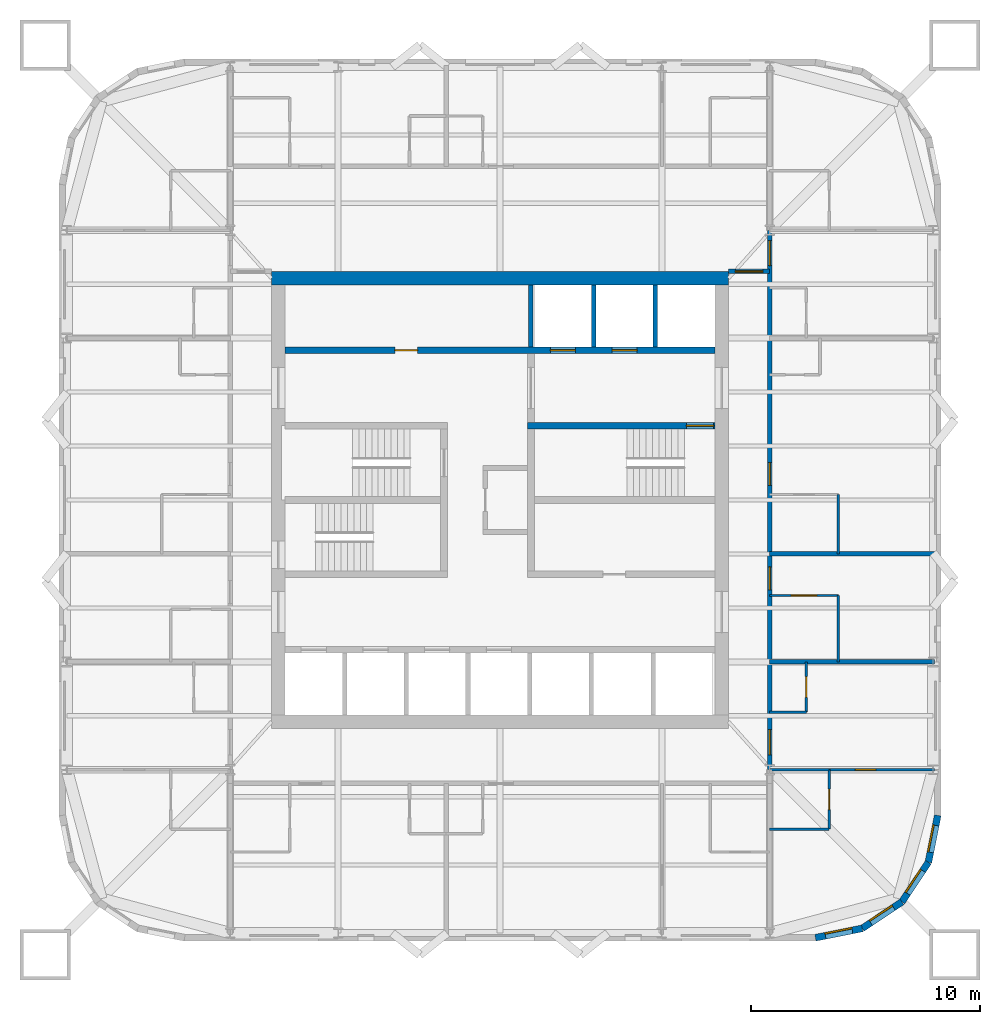
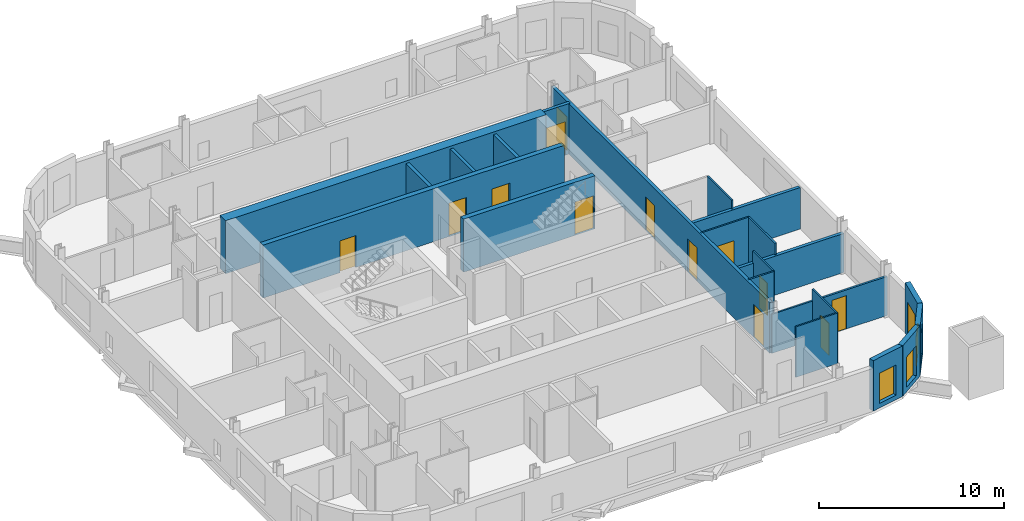
# One storey, part 5 of 8: 23 walls, 13 doors, 4 windows, 17 openings.
"""IFC4 building model written with IfcOpenShell, lengths in metres."""

from ifc_helpers import new_model, si_unit, direction, frame, frame_2d, origin, place, context, subcontext, project, spatial, rectangle, extrude, material, layer, layer_set, type_object, element, fill, save


model = new_model("IFC4")

# Units and contexts
model_context = context("Model", 3, precision=1e-05, world=origin(), true_north=direction((0.0, 1.0)))
body_context = subcontext(model_context, "Body", "Model", "MODEL_VIEW")
ifc_project = project(units=[si_unit("LENGTHUNIT", "METRE"), si_unit("AREAUNIT", "SQUARE_METRE"), si_unit("VOLUMEUNIT", "CUBIC_METRE"), si_unit("PLANEANGLEUNIT", "RADIAN"), si_unit("MASSUNIT", "GRAM", prefix="KILO")], contexts=[model_context])

# Site, building, storey
site_placement = place(None, origin())
site = spatial("IfcSite", under=ifc_project, at=site_placement, CompositionType="ELEMENT")
building_placement = place(site_placement, origin())
building = spatial("IfcBuilding", under=site, at=building_placement, Name="Turquesa Mirador Hotel Tower", CompositionType="ELEMENT")
storey_placement = place(building_placement, frame((0.0, 0.0, 196.800048828125)))
storey = spatial("IfcBuildingStorey", under=building, at=storey_placement, Name="L53", CompositionType="ELEMENT", Elevation=196.800048828125)

# Walls
ifc_material_1 = material(Name="Gypsum board on steel studs", Category="steel")
ifc_layer_1 = layer(ifc_material_1, 0.10009765625)
ifc_layer_set_1 = layer_set([ifc_layer_1], Name="BATHROOM WALL 100")
wall_type_1 = type_object("IfcWallType", Name="BATHROOM WALL 100", PredefinedType="PARTITIONING", material=ifc_layer_set_1)
wall_1_placement = place(storey_placement, frame((66.800048828125, 33.199951171875, 0.0), z_axis=(0.0, 0.0, 1.0), x_axis=(1.0, 0.0, 0.0)))
element("IfcWall", 1, at=wall_1_placement, inside=storey, type_object=wall_type_1, Name="Partition L53 002", PredefinedType="PARTITIONING", context=body_context, shape_type="SweptSolid", body=[
    extrude(rectangle(XDim=2.599853515625, YDim=0.10009765625, at=frame_2d((1.2998046875, 0.0))), origin(), (0.0, 0.0, 1.0), 2.572998046875),
])
wall_2_placement = place(storey_placement, frame((66.800048828125, 30.60009765625, 0.0), z_axis=(0.0, 0.0, 1.0), x_axis=(1.0, 0.0, 0.0)))
element("IfcWall", 2, at=wall_2_placement, inside=storey, type_object=wall_type_1, Name="Partition L53 007", PredefinedType="PARTITIONING", context=body_context, shape_type="SweptSolid", body=[
    extrude(rectangle(XDim=2.599853515625, YDim=0.10009765625, at=frame_2d((1.2998046875, 0.0))), origin(), (0.0, 0.0, 1.0), 3.329833984375),
])

# Wall, opening, door
wall_3_placement = place(storey_placement, frame((66.800048828125, 40.820068359375, 0.0), z_axis=(0.0, 0.0, 1.0), x_axis=(1.0, 0.0, 0.0)))
wall_3 = element("IfcWall", 3, at=wall_3_placement, inside=storey, type_object=wall_type_1, Name="Partition L53 014", PredefinedType="PARTITIONING", context=body_context, shape_type="SweptSolid", body=[
    extrude(rectangle(XDim=3.0, YDim=0.10009765625, at=frame_2d((1.5, 0.0))), origin(), (0.0, 0.0, 1.0), 3.329833984375),
])
opening_1_placement = place(wall_3_placement, frame((0.949951171875, 0.0, 0.0)))
opening_1 = element("IfcOpeningElement", 4, at=opening_1_placement, cuts=wall_3, Name="Opening D16", PredefinedType="OPENING", context=body_context, shape_type="SweptSolid", body=[
    extrude(rectangle(XDim=1.10009765625, YDim=2.10009765625, at=frame_2d((0.550048828125, 1.050048828125))), frame((0.0, 0.06005859375, 0.0), z_axis=(0.0, -1.0, 0.0), x_axis=(1.0, 0.0, 0.0)), (0.0, 0.0, 1.0), 0.1201171875),
])
ifc_material_2 = material(Name="Timber veneered sliding door", Category="wood")
door_type_1 = type_object("IfcDoorType", Name="DOOR 1100X2100 ACCESSIBLE EN-SUITE", OperationType="SLIDING_TO_LEFT", PredefinedType="DOOR", material=ifc_material_2)
door_1_placement = place(opening_1_placement, origin())
door_1 = element("IfcDoor", 5, at=door_1_placement, inside=storey, type_object=door_type_1, Name="Door 5305B", OperationType="SLIDING_TO_LEFT", OverallHeight=2.10009765625, OverallWidth=1.10009765625, PredefinedType="DOOR", context=body_context, shape_type="SweptSolid", body=[
    extrude(rectangle(XDim=1.10009765625, YDim=2.10009765625, at=frame_2d((0.550048828125, 1.050048828125))), frame((0.0, 0.02490234375, 0.0), z_axis=(0.0, -1.0, 0.0), x_axis=(1.0, 0.0, 0.0)), (0.0, 0.0, 1.0), 0.050048828125),
])
fill(opening_1, door_1)

# Wall
wall_4_placement = place(storey_placement, frame((66.800048828125, 35.719970703125, 0.0), z_axis=(0.0, 0.0, 1.0), x_axis=(1.0, 0.0, 0.0)))
element("IfcWall", 6, at=wall_4_placement, inside=storey, type_object=wall_type_1, Name="Partition L53 019", PredefinedType="PARTITIONING", context=body_context, shape_type="SweptSolid", body=[
    extrude(rectangle(XDim=1.599853515625, YDim=0.10009765625, at=frame_2d((0.7998046875, 0.0))), origin(), (0.0, 0.0, 1.0), 3.329833984375),
])

# Wall, opening, door
wall_5_placement = place(storey_placement, frame((68.39990234375, 35.719970703125, 0.0), z_axis=(0.0, 0.0, 1.0), x_axis=(0.0, 1.0, 0.0)))
wall_5 = element("IfcWall", 7, at=wall_5_placement, inside=storey, type_object=wall_type_1, Name="Partition L53 062", PredefinedType="PARTITIONING", context=body_context, shape_type="SweptSolid", body=[
    extrude(rectangle(XDim=2.199951171875, YDim=0.10009765625, at=frame_2d((1.10009765625, 0.0))), origin(), (0.0, 0.0, 1.0), 3.329833984375),
])
opening_2_placement = place(wall_5_placement, frame((0.64990234375, 0.0, 0.0)))
opening_2 = element("IfcOpeningElement", 8, at=opening_2_placement, cuts=wall_5, Name="Opening D06", PredefinedType="OPENING", context=body_context, shape_type="SweptSolid", body=[
    extrude(rectangle(XDim=0.89990234375, YDim=2.10009765625, at=frame_2d((0.449951171875, 1.050048828125))), frame((0.0, 0.06005859375, 0.0), z_axis=(0.0, -1.0, 0.0), x_axis=(1.0, 0.0, 0.0)), (0.0, 0.0, 1.0), 0.1201171875),
])
ifc_material_3 = material(Name="Laminate door", Category="wood")
door_type_2 = type_object("IfcDoorType", Name="DOOR 900X2100 WC", OperationType="SINGLE_SWING_LEFT", PredefinedType="DOOR", material=ifc_material_3)
door_2_placement = place(opening_2_placement, origin())
door_2 = element("IfcDoor", 9, at=door_2_placement, inside=storey, type_object=door_type_2, Name="Door 5312W", OperationType="SINGLE_SWING_LEFT", OverallHeight=2.10009765625, OverallWidth=0.89990234375, PredefinedType="DOOR", context=body_context, shape_type="SweptSolid", body=[
    extrude(rectangle(XDim=0.89990234375, YDim=2.10009765625, at=frame_2d((0.449951171875, 1.050048828125))), frame((0.0, 0.02490234375, 0.0), z_axis=(0.0, -1.0, 0.0), x_axis=(1.0, 0.0, 0.0)), (0.0, 0.0, 1.0), 0.050048828125),
])
fill(opening_2, door_2)

wall_6_placement = place(storey_placement, frame((69.39990234375, 30.60009765625, 0.0), z_axis=(0.0, 0.0, 1.0), x_axis=(0.0, 1.0, 0.0)))
wall_6 = element("IfcWall", 10, at=wall_6_placement, inside=storey, type_object=wall_type_1, Name="Partition L53 065", PredefinedType="PARTITIONING", context=body_context, shape_type="SweptSolid", body=[
    extrude(rectangle(XDim=2.599853515625, YDim=0.10009765625, at=frame_2d((1.2998046875, 0.0))), origin(), (0.0, 0.0, 1.0), 3.329833984375),
])
opening_3_placement = place(wall_6_placement, frame((0.85009765625, 0.0, 0.0)))
opening_3 = element("IfcOpeningElement", 11, at=opening_3_placement, cuts=wall_6, Name="Opening D02", PredefinedType="OPENING", context=body_context, shape_type="SweptSolid", body=[
    extrude(rectangle(XDim=0.89990234375, YDim=2.10009765625, at=frame_2d((0.449951171875, 1.050048828125))), frame((0.0, 0.06005859375, 0.0), z_axis=(0.0, -1.0, 0.0), x_axis=(1.0, 0.0, 0.0)), (0.0, 0.0, 1.0), 0.1201171875),
])
ifc_material_4 = material(Name="Timber veneered door", Category="wood")
door_type_3 = type_object("IfcDoorType", Name="DOOR 900X2100 EN-SUITE", OperationType="SINGLE_SWING_RIGHT", PredefinedType="DOOR", material=ifc_material_4)
door_3_placement = place(opening_3_placement, origin())
door_3 = element("IfcDoor", 12, at=door_3_placement, inside=storey, type_object=door_type_3, Name="Door 5312B", OperationType="SINGLE_SWING_RIGHT", OverallHeight=2.10009765625, OverallWidth=0.89990234375, PredefinedType="DOOR", context=body_context, shape_type="SweptSolid", body=[
    extrude(rectangle(XDim=0.89990234375, YDim=2.10009765625, at=frame_2d((0.449951171875, 1.050048828125))), frame((0.0, 0.02490234375, 0.0), z_axis=(0.0, -1.0, 0.0), x_axis=(1.0, 0.0, 0.0)), (0.0, 0.0, 1.0), 0.050048828125),
])
fill(opening_3, door_3)

# Walls
wall_7_placement = place(storey_placement, frame((69.800048828125, 37.919921875, 0.0), z_axis=(0.0, 0.0, 1.0), x_axis=(0.0, 1.0, 0.0)))
element("IfcWall", 13, at=wall_7_placement, inside=storey, type_object=wall_type_1, Name="Partition L53 067", PredefinedType="PARTITIONING", context=body_context, shape_type="SweptSolid", body=[
    extrude(rectangle(XDim=2.900146484375, YDim=0.10009765625, at=frame_2d((1.4501953125, 0.0))), origin(), (0.0, 0.0, 1.0), 3.329833984375),
])
wall_8_placement = place(storey_placement, frame((69.800048828125, 42.639892578125, 0.0), z_axis=(0.0, 0.0, 1.0), x_axis=(0.0, 1.0, 0.0)))
element("IfcWall", 14, at=wall_8_placement, inside=storey, type_object=wall_type_1, Name="Partition L53 068", PredefinedType="PARTITIONING", context=body_context, shape_type="SweptSolid", body=[
    extrude(rectangle(XDim=2.60009765625, YDim=0.10009765625, at=frame_2d((1.300048828125, 0.0))), origin(), (0.0, 0.0, 1.0), 3.329833984375),
])

# Wall, openings, doors
ifc_material_5 = material(Name="Concrete C50/60", Category="concrete")
ifc_layer_2 = layer(ifc_material_5, 0.300048828125)
ifc_layer_set_2 = layer_set([ifc_layer_2], Name="CORE INNER WALL 300")
wall_type_2 = type_object("IfcWallType", Name="CORE INNER WALL 300", PredefinedType="SHEAR", material=ifc_layer_set_2)
wall_9_placement = place(storey_placement, frame((45.60009765625, 51.550048828125, 0.0), z_axis=(0.0, 0.0, 1.0), x_axis=(1.0, 0.0, 0.0)))
wall_9 = element("IfcWall", 15, at=wall_9_placement, inside=storey, type_object=wall_type_2, Name="Core wall NL", PredefinedType="SHEAR", context=body_context, shape_type="SweptSolid", body=[
    extrude(rectangle(XDim=18.7998046875, YDim=0.300048828125, at=frame_2d((9.39990234375, 0.0))), origin(), (0.0, 0.0, 1.0), 3.5),
])
opening_4_placement = place(wall_9_placement, frame((4.800048828125, 0.0, 0.0)))
opening_4 = element("IfcOpeningElement", 16, at=opening_4_placement, cuts=wall_9, Name="Opening D05", PredefinedType="OPENING", context=body_context, shape_type="SweptSolid", body=[
    extrude(rectangle(XDim=1.0, YDim=2.10009765625, at=frame_2d((0.5, 1.050048828125))), frame((0.0, 0.159912109375, 0.0), z_axis=(0.0, -1.0, 0.0), x_axis=(1.0, 0.0, 0.0)), (0.0, 0.0, 1.0), 0.320068359375),
])
opening_5_placement = place(wall_9_placement, frame((11.60009765625, 0.0, 0.0)))
opening_5 = element("IfcOpeningElement", 17, at=opening_5_placement, cuts=wall_9, Name="Opening LD", PredefinedType="OPENING", context=body_context, shape_type="SweptSolid", body=[
    extrude(rectangle(XDim=1.10009765625, YDim=2.199951171875, at=frame_2d((0.550048828125, 1.10009765625))), frame((0.0, 0.159912109375, 0.0), z_axis=(0.0, -1.0, 0.0), x_axis=(1.0, 0.0, 0.0)), (0.0, 0.0, 1.0), 0.320068359375),
])
opening_6_placement = place(wall_9_placement, frame((14.300048828125, 0.0, 0.0)))
opening_6 = element("IfcOpeningElement", 18, at=opening_6_placement, cuts=wall_9, Name="Opening LD", PredefinedType="OPENING", context=body_context, shape_type="SweptSolid", body=[
    extrude(rectangle(XDim=1.10009765625, YDim=2.199951171875, at=frame_2d((0.550048828125, 1.10009765625))), frame((0.0, 0.159912109375, 0.0), z_axis=(0.0, -1.0, 0.0), x_axis=(1.0, 0.0, 0.0)), (0.0, 0.0, 1.0), 0.320068359375),
])
ifc_material_6 = material(Name="Steel fire door", Category="steel")
door_type_4 = type_object("IfcDoorType", Name="DOOR 1000X2100 SERVICE", OperationType="SINGLE_SWING_LEFT", PredefinedType="DOOR", material=ifc_material_6)
door_4_placement = place(opening_4_placement, origin())
door_4 = element("IfcDoor", 19, at=door_4_placement, inside=storey, type_object=door_type_4, Name="Linen store door", OperationType="SINGLE_SWING_LEFT", OverallHeight=2.10009765625, OverallWidth=1.0, PredefinedType="DOOR", context=body_context, shape_type="SweptSolid", body=[
    extrude(rectangle(XDim=1.0, YDim=2.10009765625, at=frame_2d((0.5, 1.050048828125))), frame((0.0, 0.02490234375, 0.0), z_axis=(0.0, -1.0, 0.0), x_axis=(1.0, 0.0, 0.0)), (0.0, 0.0, 1.0), 0.050048828125),
])
fill(opening_4, door_4)
ifc_material_7 = material(Name="Stainless steel lift landing door", Category="steel")
door_type_5 = type_object("IfcDoorType", Name="LIFT LANDING DOOR 1100X2200", OperationType="SLIDING_TO_LEFT", PredefinedType="DOOR", material=ifc_material_7)
door_5_placement = place(opening_5_placement, origin())
door_5 = element("IfcDoor", 20, at=door_5_placement, inside=storey, type_object=door_type_5, Name="Lift S1 landing door", OperationType="SLIDING_TO_LEFT", OverallHeight=2.199951171875, OverallWidth=1.10009765625, PredefinedType="DOOR", context=body_context, shape_type="SweptSolid", body=[
    extrude(rectangle(XDim=1.10009765625, YDim=2.199951171875, at=frame_2d((0.550048828125, 1.10009765625))), frame((0.0, 0.02490234375, 0.0), z_axis=(0.0, -1.0, 0.0), x_axis=(1.0, 0.0, 0.0)), (0.0, 0.0, 1.0), 0.050048828125),
])
fill(opening_5, door_5)
door_6_placement = place(opening_6_placement, origin())
door_6 = element("IfcDoor", 21, at=door_6_placement, inside=storey, type_object=door_type_5, Name="Lift S2 landing door", OperationType="SLIDING_TO_LEFT", OverallHeight=2.199951171875, OverallWidth=1.10009765625, PredefinedType="DOOR", context=body_context, shape_type="SweptSolid", body=[
    extrude(rectangle(XDim=1.10009765625, YDim=2.199951171875, at=frame_2d((0.550048828125, 1.10009765625))), frame((0.0, 0.02490234375, 0.0), z_axis=(0.0, -1.0, 0.0), x_axis=(1.0, 0.0, 0.0)), (0.0, 0.0, 1.0), 0.050048828125),
])
fill(opening_6, door_6)

# Wall, opening, door
wall_10_placement = place(storey_placement, frame((56.199951171875, 48.25, 0.0), z_axis=(0.0, 0.0, 1.0), x_axis=(1.0, 0.0, 0.0)))
wall_10 = element("IfcWall", 22, at=wall_10_placement, inside=storey, type_object=wall_type_2, Name="Core wall MN-E", PredefinedType="SHEAR", context=body_context, shape_type="SweptSolid", body=[
    extrude(rectangle(XDim=8.199951171875, YDim=0.300048828125, at=frame_2d((4.10009765625, 0.0))), origin(), (0.0, 0.0, 1.0), 3.5),
])
opening_7_placement = place(wall_10_placement, frame((6.949951171875, 0.0, 0.0)))
opening_7 = element("IfcOpeningElement", 23, at=opening_7_placement, cuts=wall_10, Name="Opening D03", PredefinedType="OPENING", context=body_context, shape_type="SweptSolid", body=[
    extrude(rectangle(XDim=1.199951171875, YDim=2.199951171875, at=frame_2d((0.60009765625, 1.10009765625))), frame((0.0, 0.159912109375, 0.0), z_axis=(0.0, -1.0, 0.0), x_axis=(1.0, 0.0, 0.0)), (0.0, 0.0, 1.0), 0.320068359375),
])
ifc_material_8 = material(Name="Steel fire door", Category="steel")
door_type_6 = type_object("IfcDoorType", Name="DOOR 1200X2200 STAIR", OperationType="SINGLE_SWING_LEFT", PredefinedType="DOOR", material=ifc_material_8)
door_7_placement = place(opening_7_placement, origin())
door_7 = element("IfcDoor", 24, at=door_7_placement, inside=storey, type_object=door_type_6, Name="Stair ST3 door", OperationType="SINGLE_SWING_LEFT", OverallHeight=2.199951171875, OverallWidth=1.199951171875, PredefinedType="DOOR", context=body_context, shape_type="SweptSolid", body=[
    extrude(rectangle(XDim=1.199951171875, YDim=2.199951171875, at=frame_2d((0.60009765625, 1.10009765625))), frame((0.0, 0.02490234375, 0.0), z_axis=(0.0, -1.0, 0.0), x_axis=(1.0, 0.0, 0.0)), (0.0, 0.0, 1.0), 0.050048828125),
])
fill(opening_7, door_7)

# Wall
ifc_material_9 = material(Name="Concrete C50/60", Category="concrete")
ifc_layer_3 = layer(ifc_material_9, 0.60009765625)
ifc_layer_set_3 = layer_set([ifc_layer_3], Name="CORE WALL 600")
wall_type_3 = type_object("IfcWallType", Name="CORE WALL 600", PredefinedType="SHEAR", material=ifc_layer_set_3)
wall_11_placement = place(storey_placement, frame((45.0, 54.699951171875, 0.0), z_axis=(0.0, 0.0, 1.0), x_axis=(1.0, 0.0, 0.0)))
element("IfcWall", 25, at=wall_11_placement, inside=storey, type_object=wall_type_3, Name="Core wall N", PredefinedType="SHEAR", context=body_context, shape_type="SweptSolid", body=[
    extrude(rectangle(XDim=20.0, YDim=0.60009765625, at=frame_2d((10.0, 0.0))), origin(), (0.0, 0.0, 1.0), 3.5),
])

# Wall, opening, door
ifc_material_10 = material(Name="Fire-rated gypsum board on steel studs", Category="steel")
ifc_layer_4 = layer(ifc_material_10, 0.199951171875)
ifc_layer_set_4 = layer_set([ifc_layer_4], Name="CORRIDOR WALL 200")
wall_type_4 = type_object("IfcWallType", Name="CORRIDOR WALL 200", PredefinedType="PARTITIONING", material=ifc_layer_set_4)
wall_12_placement = place(storey_placement, frame((65.0, 55.0, 0.0), z_axis=(0.0, 0.0, 1.0), x_axis=(1.0, 0.0, 0.0)))
wall_12 = element("IfcWall", 26, at=wall_12_placement, inside=storey, type_object=wall_type_4, Name="Partition L53 023", PredefinedType="PARTITIONING", context=body_context, shape_type="SweptSolid", body=[
    extrude(rectangle(XDim=1.800048828125, YDim=0.199951171875, at=frame_2d((0.89990234375, 0.0))), origin(), (0.0, 0.0, 1.0), 3.329833984375),
])
opening_8_placement = place(wall_12_placement, frame((0.300048828125, 0.0, 0.0)))
opening_8 = element("IfcOpeningElement", 27, at=opening_8_placement, cuts=wall_12, Name="Opening D19", PredefinedType="OPENING", context=body_context, shape_type="SweptSolid", body=[
    extrude(rectangle(XDim=1.199951171875, YDim=2.199951171875, at=frame_2d((0.60009765625, 1.10009765625))), frame((0.0, 0.10986328125, 0.0), z_axis=(0.0, -1.0, 0.0), x_axis=(1.0, 0.0, 0.0)), (0.0, 0.0, 1.0), 0.219970703125),
])
ifc_material_11 = material(Name="Steel glazed fire door", Category="steel")
door_type_7 = type_object("IfcDoorType", Name="DOOR 1200X2200 FIRE DOOR GLAZED", OperationType="SINGLE_SWING_LEFT", PredefinedType="DOOR", material=ifc_material_11)
door_8_placement = place(opening_8_placement, origin())
door_8 = element("IfcDoor", 28, at=door_8_placement, inside=storey, type_object=door_type_7, Name="Door L53-C03-1", OperationType="SINGLE_SWING_LEFT", OverallHeight=2.199951171875, OverallWidth=1.199951171875, PredefinedType="DOOR", context=body_context, shape_type="SweptSolid", body=[
    extrude(rectangle(XDim=1.199951171875, YDim=2.199951171875, at=frame_2d((0.60009765625, 1.10009765625))), frame((0.0, 0.02490234375, 0.0), z_axis=(0.0, -1.0, 0.0), x_axis=(1.0, 0.0, 0.0)), (0.0, 0.0, 1.0), 0.050048828125),
])
fill(opening_8, door_8)

# Wall, openings, doors
wall_13_placement = place(storey_placement, frame((66.800048828125, 33.219970703125, 0.0), z_axis=(0.0, 0.0, 1.0), x_axis=(0.0, 1.0, 0.0)))
wall_13 = element("IfcWall", 29, at=wall_13_placement, inside=storey, type_object=wall_type_4, Name="Partition L53 059", PredefinedType="PARTITIONING", context=body_context, shape_type="SweptSolid", body=[
    extrude(rectangle(XDim=23.56005859375, YDim=0.199951171875, at=frame_2d((11.780029296875, 0.0))), origin(), (0.0, 0.0, 1.0), 3.329833984375),
])
opening_9_placement = place(wall_13_placement, frame((7.85009765625, 0.0, 0.0)))
opening_9 = element("IfcOpeningElement", 30, at=opening_9_placement, cuts=wall_13, Name="Opening D01", PredefinedType="OPENING", context=body_context, shape_type="SweptSolid", body=[
    extrude(rectangle(XDim=1.0, YDim=2.199951171875, at=frame_2d((0.5, 1.10009765625))), frame((0.0, 0.10986328125, 0.0), z_axis=(0.0, -1.0, 0.0), x_axis=(1.0, 0.0, 0.0)), (0.0, 0.0, 1.0), 0.219970703125),
])
opening_10_placement = place(wall_13_placement, frame((12.419921875, 0.0, 0.0)))
opening_10 = element("IfcOpeningElement", 31, at=opening_10_placement, cuts=wall_13, Name="Opening D01", PredefinedType="OPENING", context=body_context, shape_type="SweptSolid", body=[
    extrude(rectangle(XDim=1.0, YDim=2.199951171875, at=frame_2d((0.5, 1.10009765625))), frame((0.0, 0.10986328125, 0.0), z_axis=(0.0, -1.0, 0.0), x_axis=(1.0, 0.0, 0.0)), (0.0, 0.0, 1.0), 0.219970703125),
])
opening_11_placement = place(wall_13_placement, frame((22.030029296875, 0.0, 0.0)))
opening_11 = element("IfcOpeningElement", 32, at=opening_11_placement, cuts=wall_13, Name="Opening D15", PredefinedType="OPENING", context=body_context, shape_type="SweptSolid", body=[
    extrude(rectangle(XDim=1.10009765625, YDim=2.199951171875, at=frame_2d((0.550048828125, 1.10009765625))), frame((0.0, 0.10986328125, 0.0), z_axis=(0.0, -1.0, 0.0), x_axis=(1.0, 0.0, 0.0)), (0.0, 0.0, 1.0), 0.219970703125),
])
opening_12_placement = place(wall_13_placement, frame((0.6298828125, 0.0, 0.0)))
opening_12 = element("IfcOpeningElement", 33, at=opening_12_placement, cuts=wall_13, Name="Opening D15", PredefinedType="OPENING", context=body_context, shape_type="SweptSolid", body=[
    extrude(rectangle(XDim=1.10009765625, YDim=2.199951171875, at=frame_2d((0.550048828125, 1.10009765625))), frame((0.0, 0.10986328125, 0.0), z_axis=(0.0, -1.0, 0.0), x_axis=(1.0, 0.0, 0.0)), (0.0, 0.0, 1.0), 0.219970703125),
])
ifc_material_12 = material(Name="Timber veneered fire door", Category="wood")
door_type_8 = type_object("IfcDoorType", Name="DOOR 1000X2200 GUEST ENTRY", OperationType="SINGLE_SWING_LEFT", PredefinedType="DOOR", material=ifc_material_12)
door_9_placement = place(opening_9_placement, origin())
door_9 = element("IfcDoor", 34, at=door_9_placement, inside=storey, type_object=door_type_8, Name="Door 5305", OperationType="SINGLE_SWING_LEFT", OverallHeight=2.199951171875, OverallWidth=1.0, PredefinedType="DOOR", context=body_context, shape_type="SweptSolid", body=[
    extrude(rectangle(XDim=1.0, YDim=2.199951171875, at=frame_2d((0.5, 1.10009765625))), frame((0.0, 0.02490234375, 0.0), z_axis=(0.0, -1.0, 0.0), x_axis=(1.0, 0.0, 0.0)), (0.0, 0.0, 1.0), 0.050048828125),
])
fill(opening_9, door_9)
door_10_placement = place(opening_10_placement, origin())
door_10 = element("IfcDoor", 35, at=door_10_placement, inside=storey, type_object=door_type_8, Name="Door 5306", OperationType="SINGLE_SWING_LEFT", OverallHeight=2.199951171875, OverallWidth=1.0, PredefinedType="DOOR", context=body_context, shape_type="SweptSolid", body=[
    extrude(rectangle(XDim=1.0, YDim=2.199951171875, at=frame_2d((0.5, 1.10009765625))), frame((0.0, 0.02490234375, 0.0), z_axis=(0.0, -1.0, 0.0), x_axis=(1.0, 0.0, 0.0)), (0.0, 0.0, 1.0), 0.050048828125),
])
fill(opening_10, door_10)
ifc_material_13 = material(Name="Timber veneered fire door", Category="wood")
door_type_9 = type_object("IfcDoorType", Name="DOOR 1100X2200 SUITE ENTRY", OperationType="SINGLE_SWING_LEFT", PredefinedType="DOOR", material=ifc_material_13)
door_11_placement = place(opening_11_placement, origin())
door_11 = element("IfcDoor", 36, at=door_11_placement, inside=storey, type_object=door_type_9, Name="Door 5309", OperationType="SINGLE_SWING_LEFT", OverallHeight=2.199951171875, OverallWidth=1.10009765625, PredefinedType="DOOR", context=body_context, shape_type="SweptSolid", body=[
    extrude(rectangle(XDim=1.10009765625, YDim=2.199951171875, at=frame_2d((0.550048828125, 1.10009765625))), frame((0.0, 0.02490234375, 0.0), z_axis=(0.0, -1.0, 0.0), x_axis=(1.0, 0.0, 0.0)), (0.0, 0.0, 1.0), 0.050048828125),
])
fill(opening_11, door_11)
door_12_placement = place(opening_12_placement, origin())
door_12 = element("IfcDoor", 37, at=door_12_placement, inside=storey, type_object=door_type_9, Name="Door 5312", OperationType="SINGLE_SWING_LEFT", OverallHeight=2.199951171875, OverallWidth=1.10009765625, PredefinedType="DOOR", context=body_context, shape_type="SweptSolid", body=[
    extrude(rectangle(XDim=1.10009765625, YDim=2.199951171875, at=frame_2d((0.550048828125, 1.10009765625))), frame((0.0, 0.02490234375, 0.0), z_axis=(0.0, -1.0, 0.0), x_axis=(1.0, 0.0, 0.0)), (0.0, 0.0, 1.0), 0.050048828125),
])
fill(opening_12, door_12)

# Wall, opening, window
ifc_material_14 = material(Name="Limestone cladding on concrete block", Category="masonry")
ifc_layer_5 = layer(ifc_material_14, 0.300048828125)
ifc_layer_set_5 = layer_set([ifc_layer_5], Name="FACADE WALL 300 STONE SCREEN")
wall_type_5 = type_object("IfcWallType", Name="FACADE WALL 300 STONE SCREEN", PredefinedType="SOLIDWALL", material=ifc_layer_set_5)
wall_14_placement = place(storey_placement, frame((68.800048828125, 25.85009765625, 0.0), z_axis=(0.0, 0.0, 1.0), x_axis=(0.980787050784, 0.195081421501, 0.0)))
wall_14 = element("IfcWall", 38, at=wall_14_placement, inside=storey, type_object=wall_type_5, Name="Facade wall L53 00", PredefinedType="SOLIDWALL", context=body_context, shape_type="SweptSolid", body=[
    extrude(rectangle(XDim=2.08740234375, YDim=0.300048828125, at=frame_2d((1.043701171875, 0.0))), origin(), (0.0, 0.0, 1.0), 3.329833984375),
])
opening_13_placement = place(wall_14_placement, frame((0.443603515625, 0.0, 0.300048828125)))
opening_13 = element("IfcOpeningElement", 39, at=opening_13_placement, cuts=wall_14, Name="Opening WN4", PredefinedType="OPENING", context=body_context, shape_type="SweptSolid", body=[
    extrude(rectangle(XDim=1.199951171875, YDim=2.0, at=frame_2d((0.60009765625, 1.0))), frame((0.0, 0.159912109375, 0.0), z_axis=(0.0, -1.0, 0.0), x_axis=(1.0, 0.0, 0.0)), (0.0, 0.0, 1.0), 0.320068359375),
])
ifc_material_15 = material(Name="Ceramic-fritted laminated glass", Category="glass")
window_type = type_object("IfcWindowType", Name="FRITTED CORNER WINDOW 1200X2000", PartitioningType="DOUBLE_PANEL_HORIZONTAL", PredefinedType="WINDOW", material=ifc_material_15)
window_1_placement = place(opening_13_placement, origin())
window_1 = element("IfcWindow", 40, at=window_1_placement, inside=storey, type_object=window_type, Name="Window L53", OverallHeight=2.0, OverallWidth=1.199951171875, PartitioningType="SINGLE_PANEL", PredefinedType="WINDOW", context=body_context, shape_type="SweptSolid", body=[
    extrude(rectangle(XDim=1.199951171875, YDim=2.0, at=frame_2d((0.60009765625, 1.0))), frame((0.0, 0.130126953125, 0.0), z_axis=(0.0, -1.0, 0.0), x_axis=(1.0, 0.0, 0.0)), (0.0, 0.0, 1.0), 0.06005859375),
])
fill(opening_13, window_1)

wall_15_placement = place(storey_placement, frame((70.847412109375, 26.25732421875, 0.0), z_axis=(0.0, 0.0, 1.0), x_axis=(0.831474039234, 0.555563607591, 0.0)))
wall_15 = element("IfcWall", 41, at=wall_15_placement, inside=storey, type_object=wall_type_5, Name="Facade wall L53 01", PredefinedType="SOLIDWALL", context=body_context, shape_type="SweptSolid", body=[
    extrude(rectangle(XDim=2.08740234375, YDim=0.300048828125, at=frame_2d((1.043701171875, 0.0))), origin(), (0.0, 0.0, 1.0), 3.329833984375),
])
opening_14_placement = place(wall_15_placement, frame((0.443603515625, 0.0, 0.300048828125)))
opening_14 = element("IfcOpeningElement", 42, at=opening_14_placement, cuts=wall_15, Name="Opening WN4", PredefinedType="OPENING", context=body_context, shape_type="SweptSolid", body=[
    extrude(rectangle(XDim=1.199951171875, YDim=2.0, at=frame_2d((0.60009765625, 1.0))), frame((0.0, 0.159912109375, 0.0), z_axis=(0.0, -1.0, 0.0), x_axis=(1.0, 0.0, 0.0)), (0.0, 0.0, 1.0), 0.320068359375),
])
window_2_placement = place(opening_14_placement, origin())
window_2 = element("IfcWindow", 43, at=window_2_placement, inside=storey, type_object=window_type, Name="Window L53", OverallHeight=2.0, OverallWidth=1.199951171875, PartitioningType="SINGLE_PANEL", PredefinedType="WINDOW", context=body_context, shape_type="SweptSolid", body=[
    extrude(rectangle(XDim=1.199951171875, YDim=2.0, at=frame_2d((0.60009765625, 1.0))), frame((0.0, 0.130126953125, 0.0), z_axis=(0.0, -1.0, 0.0), x_axis=(1.0, 0.0, 0.0)), (0.0, 0.0, 1.0), 0.06005859375),
])
fill(opening_14, window_2)

wall_16_placement = place(storey_placement, frame((72.5830078125, 27.4169921875, 0.0), z_axis=(0.0, 0.0, 1.0), x_axis=(0.555563607591, 0.831474039234, 0.0)))
wall_16 = element("IfcWall", 44, at=wall_16_placement, inside=storey, type_object=wall_type_5, Name="Facade wall L53 02", PredefinedType="SOLIDWALL", context=body_context, shape_type="SweptSolid", body=[
    extrude(rectangle(XDim=2.08740234375, YDim=0.300048828125, at=frame_2d((1.043701171875, 0.0))), origin(), (0.0, 0.0, 1.0), 3.329833984375),
])
opening_15_placement = place(wall_16_placement, frame((0.443603515625, 0.0, 0.300048828125)))
opening_15 = element("IfcOpeningElement", 45, at=opening_15_placement, cuts=wall_16, Name="Opening WN4", PredefinedType="OPENING", context=body_context, shape_type="SweptSolid", body=[
    extrude(rectangle(XDim=1.199951171875, YDim=2.0, at=frame_2d((0.60009765625, 1.0))), frame((0.0, 0.159912109375, 0.0), z_axis=(0.0, -1.0, 0.0), x_axis=(1.0, 0.0, 0.0)), (0.0, 0.0, 1.0), 0.320068359375),
])
window_3_placement = place(opening_15_placement, origin())
window_3 = element("IfcWindow", 46, at=window_3_placement, inside=storey, type_object=window_type, Name="Window L53", OverallHeight=2.0, OverallWidth=1.199951171875, PartitioningType="SINGLE_PANEL", PredefinedType="WINDOW", context=body_context, shape_type="SweptSolid", body=[
    extrude(rectangle(XDim=1.199951171875, YDim=2.0, at=frame_2d((0.60009765625, 1.0))), frame((0.0, 0.130126953125, 0.0), z_axis=(0.0, -1.0, 0.0), x_axis=(1.0, 0.0, 0.0)), (0.0, 0.0, 1.0), 0.06005859375),
])
fill(opening_15, window_3)

wall_17_placement = place(storey_placement, frame((73.74267578125, 29.152587890625, 0.0), z_axis=(0.0, 0.0, 1.0), x_axis=(0.195081421501, 0.980787050784, 0.0)))
wall_17 = element("IfcWall", 47, at=wall_17_placement, inside=storey, type_object=wall_type_5, Name="Facade wall L53 03", PredefinedType="SOLIDWALL", context=body_context, shape_type="SweptSolid", body=[
    extrude(rectangle(XDim=2.08740234375, YDim=0.300048828125, at=frame_2d((1.043701171875, 0.0))), origin(), (0.0, 0.0, 1.0), 3.329833984375),
])
opening_16_placement = place(wall_17_placement, frame((0.443603515625, 0.0, 0.300048828125)))
opening_16 = element("IfcOpeningElement", 48, at=opening_16_placement, cuts=wall_17, Name="Opening WN4", PredefinedType="OPENING", context=body_context, shape_type="SweptSolid", body=[
    extrude(rectangle(XDim=1.199951171875, YDim=2.0, at=frame_2d((0.60009765625, 1.0))), frame((0.0, 0.159912109375, 0.0), z_axis=(0.0, -1.0, 0.0), x_axis=(1.0, 0.0, 0.0)), (0.0, 0.0, 1.0), 0.320068359375),
])
window_4_placement = place(opening_16_placement, origin())
window_4 = element("IfcWindow", 49, at=window_4_placement, inside=storey, type_object=window_type, Name="Window L53", OverallHeight=2.0, OverallWidth=1.199951171875, PartitioningType="SINGLE_PANEL", PredefinedType="WINDOW", context=body_context, shape_type="SweptSolid", body=[
    extrude(rectangle(XDim=1.199951171875, YDim=2.0, at=frame_2d((0.60009765625, 1.0))), frame((0.0, 0.130126953125, 0.0), z_axis=(0.0, -1.0, 0.0), x_axis=(1.0, 0.0, 0.0)), (0.0, 0.0, 1.0), 0.06005859375),
])
fill(opening_16, window_4)

# Walls
ifc_material_16 = material(Name="Fire-rated gypsum shaft wall on steel studs", Category="steel")
ifc_layer_6 = layer(ifc_material_16, 0.199951171875)
ifc_layer_set_6 = layer_set([ifc_layer_6], Name="LIFT SHAFT DIVIDER 200")
wall_type_6 = type_object("IfcWallType", Name="LIFT SHAFT DIVIDER 200", PredefinedType="PARTITIONING", material=ifc_layer_set_6)
for number, where, z_axis, x_axis, name in (
    (50, (59.10009765625, 51.699951171875, 0.0), (0.0, 0.0, 1.0), (0.0, 1.0, 0.0), "Lift shaft divider"),
    (51, (61.800048828125, 51.699951171875, 0.0), (0.0, 0.0, 1.0), (0.0, 1.0, 0.0), "Lift shaft divider"),
    (52, (56.35009765625, 51.699951171875, 0.0), (0.0, 0.0, 1.0), (0.0, 1.0, 0.0), "Lift shaft divider"),
):
    element("IfcWall", number, at=place(storey_placement, frame(where, z_axis=z_axis, x_axis=x_axis)), inside=storey, type_object=wall_type_6, Name=name, PredefinedType="PARTITIONING", context=body_context, shape_type="SweptSolid", body=[
        extrude(rectangle(XDim=2.699951171875, YDim=0.199951171875, at=frame_2d((1.35009765625, 0.0))), origin(), (0.0, 0.0, 1.0), 3.329833984375),
    ])
ifc_material_17 = material(Name="Fire-rated gypsum board on steel studs", Category="steel")
ifc_layer_7 = layer(ifc_material_17, 0.199951171875)
ifc_layer_set_7 = layer_set([ifc_layer_7], Name="PARTY WALL 200")
wall_type_7 = type_object("IfcWallType", Name="PARTY WALL 200", PredefinedType="PARTITIONING", material=ifc_layer_set_7)
wall_18_placement = place(storey_placement, frame((66.800048828125, 42.639892578125, 0.0), z_axis=(0.0, 0.0, 1.0), x_axis=(1.0, 0.0, 0.0)))
element("IfcWall", 53, at=wall_18_placement, inside=storey, type_object=wall_type_7, Name="Partition L53 013", PredefinedType="PARTITIONING", context=body_context, shape_type="SweptSolid", body=[
    extrude(rectangle(XDim=7.199951171875, YDim=0.199951171875, at=frame_2d((3.60009765625, 0.0))), origin(), (0.0, 0.0, 1.0), 2.73046875),
])
wall_19_placement = place(storey_placement, frame((66.800048828125, 37.919921875, 0.0), z_axis=(0.0, 0.0, 1.0), x_axis=(1.0, 0.0, 0.0)))
element("IfcWall", 54, at=wall_19_placement, inside=storey, type_object=wall_type_7, Name="Partition L53 017", PredefinedType="PARTITIONING", context=body_context, shape_type="SweptSolid", body=[
    extrude(rectangle(XDim=7.199951171875, YDim=0.199951171875, at=frame_2d((3.60009765625, 0.0))), origin(), (0.0, 0.0, 1.0), 2.572998046875),
])

# Wall, opening, door
ifc_material_18 = material(Name="Acoustic gypsum board on steel studs", Category="steel")
ifc_layer_8 = layer(ifc_material_18, 0.125)
ifc_layer_set_8 = layer_set([ifc_layer_8], Name="SUITE PARTITION 125")
wall_type_8 = type_object("IfcWallType", Name="SUITE PARTITION 125", PredefinedType="PARTITIONING", material=ifc_layer_set_8)
wall_20_placement = place(storey_placement, frame((69.39990234375, 33.199951171875, 0.0), z_axis=(0.0, 0.0, 1.0), x_axis=(1.0, 0.0, 0.0)))
wall_20 = element("IfcWall", 55, at=wall_20_placement, inside=storey, type_object=wall_type_8, Name="Partition L53 004", PredefinedType="PARTITIONING", context=body_context, shape_type="SweptSolid", body=[
    extrude(rectangle(XDim=4.60009765625, YDim=0.125, at=frame_2d((2.300048828125, 0.0))), origin(), (0.0, 0.0, 1.0), 2.572998046875),
])
opening_17_placement = place(wall_20_placement, frame((1.14990234375, 0.0, 0.0)))
opening_17 = element("IfcOpeningElement", 56, at=opening_17_placement, cuts=wall_20, Name="Opening D17", PredefinedType="OPENING", context=body_context, shape_type="SweptSolid", body=[
    extrude(rectangle(XDim=0.89990234375, YDim=2.199951171875, at=frame_2d((0.449951171875, 1.10009765625))), frame((0.0, 0.072509765625, 0.0), z_axis=(0.0, -1.0, 0.0), x_axis=(1.0, 0.0, 0.0)), (0.0, 0.0, 1.0), 0.14501953125),
])
ifc_material_19 = material(Name="Timber veneered door", Category="wood")
door_type_10 = type_object("IfcDoorType", Name="DOOR 900X2200 SUITE INTERNAL", OperationType="SINGLE_SWING_LEFT", PredefinedType="DOOR", material=ifc_material_19)
door_13_placement = place(opening_17_placement, origin())
door_13 = element("IfcDoor", 57, at=door_13_placement, inside=storey, type_object=door_type_10, Name="Door 5312R", OperationType="SINGLE_SWING_LEFT", OverallHeight=2.199951171875, OverallWidth=0.89990234375, PredefinedType="DOOR", context=body_context, shape_type="SweptSolid", body=[
    extrude(rectangle(XDim=0.89990234375, YDim=2.199951171875, at=frame_2d((0.449951171875, 1.10009765625))), frame((0.0, 0.02490234375, 0.0), z_axis=(0.0, -1.0, 0.0), x_axis=(1.0, 0.0, 0.0)), (0.0, 0.0, 1.0), 0.050048828125),
])
fill(opening_17, door_13)

save(model, "model.ifc")
